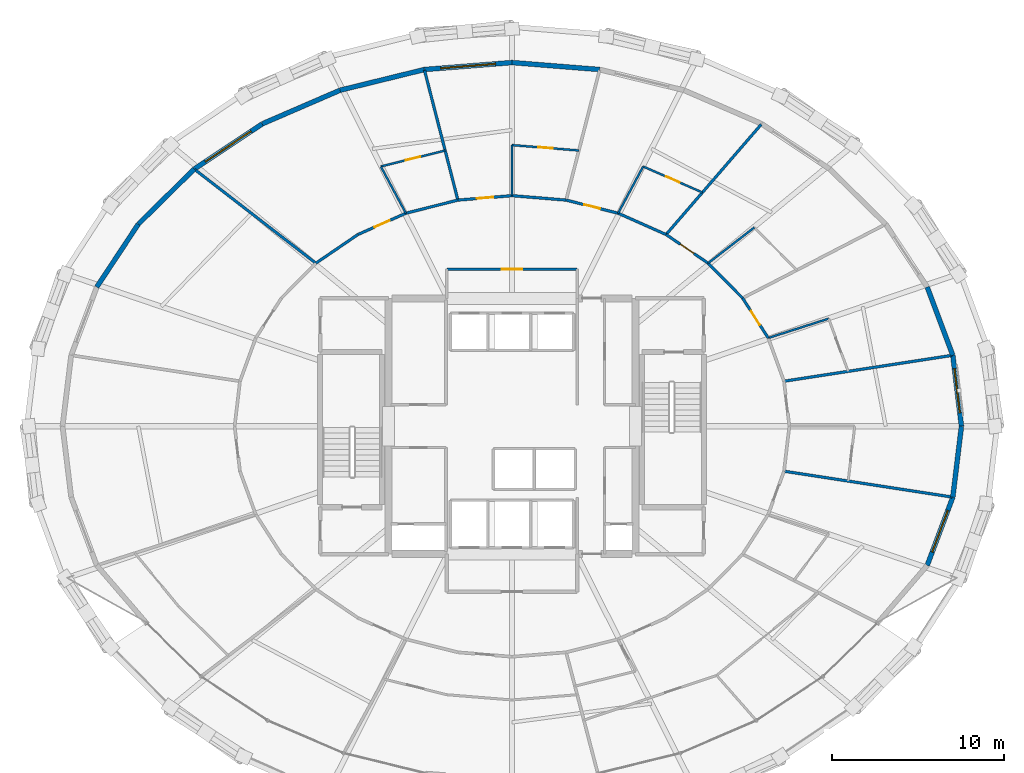
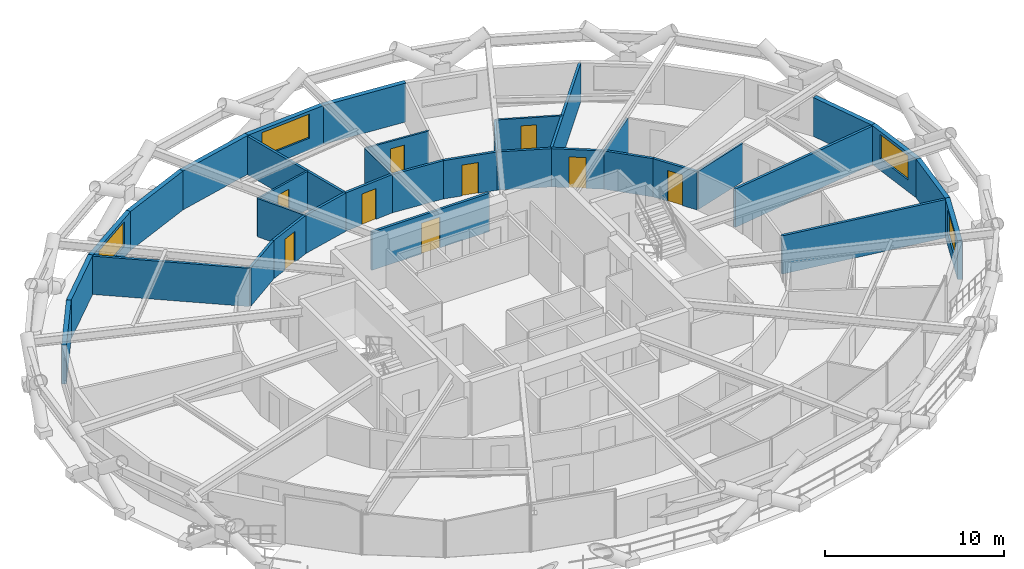
# One storey, part 16 of 19: 35 walls, 9 doors, 4 windows, 13 openings.
"""IFC4 building model written with IfcOpenShell, lengths in metres."""

from ifc_helpers import new_model, si_unit, direction, frame, frame_2d, origin, place, context, subcontext, project, spatial, rectangle, extrude, material, layer, layer_set, type_object, element, fill, save


model = new_model("IFC4")

# Units and contexts
model_context = context("Model", 3, precision=1e-05, world=origin(), true_north=direction((0.0, 1.0)))
body_context = subcontext(model_context, "Body", "Model", "MODEL_VIEW")
ifc_project = project(units=[si_unit("LENGTHUNIT", "METRE"), si_unit("AREAUNIT", "SQUARE_METRE"), si_unit("VOLUMEUNIT", "CUBIC_METRE"), si_unit("PLANEANGLEUNIT", "RADIAN"), si_unit("MASSUNIT", "GRAM", prefix="KILO")], contexts=[model_context])

# Site, building, storey
site_placement = place(None, origin())
site = spatial("IfcSite", under=ifc_project, at=site_placement, CompositionType="ELEMENT")
building_placement = place(site_placement, origin())
building = spatial("IfcBuilding", under=site, at=building_placement, Name="Veldorina Hangang Commons", CompositionType="ELEMENT")
storey_placement = place(building_placement, frame((0.0, 0.0, 44.800048828125)))
storey = spatial("IfcBuildingStorey", under=building, at=storey_placement, Name="L10", CompositionType="ELEMENT", Elevation=44.800048828125)

# Wall, opening, window
ifc_material_1 = material(Name="Stone Roman Travertine", Category="masonry")
ifc_layer_1 = layer(ifc_material_1, 0.280029296875)
ifc_layer_set_1 = layer_set([ifc_layer_1], Name="Stone Roman Travertine")
wall_type_1 = type_object("IfcWallType", Name="EW-TRAV-280", PredefinedType="STANDARD", material=ifc_layer_set_1)
wall_1_placement = place(storey_placement, frame((58.19091796875, 24.0, 0.0), z_axis=(0.0, 0.0, 1.0), x_axis=(-0.120881081027, 0.992666995648, 0.0)))
wall_1 = element("IfcWall", 1, at=wall_1_placement, inside=storey, type_object=wall_type_1, Name="L10 travertine facade wall 00", PredefinedType="STANDARD", context=body_context, shape_type="SweptSolid", body=[
    extrude(rectangle(XDim=4.16455078125, YDim=0.280029296875, at=frame_2d((2.082275390625, 0.0))), origin(), (0.0, 0.0, 1.0), 2.64990234375),
])
opening_1_placement = place(wall_1_placement, frame((0.7822265625, 0.0, 0.800048828125)))
opening_1 = element("IfcOpeningElement", 2, at=opening_1_placement, cuts=wall_1, Name="Opening W-02", PredefinedType="OPENING", context=body_context, shape_type="SweptSolid", body=[
    extrude(rectangle(XDim=2.60009765625, YDim=1.64990234375, at=frame_2d((1.300048828125, 0.824951171875))), frame((0.0, 0.14990234375, 0.0), z_axis=(0.0, -1.0, 0.0), x_axis=(1.0, 0.0, 0.0)), (0.0, 0.0, 1.0), 0.300048828125),
])
ifc_material_2 = material(Name="Glass Low-E Triple IGU", Category="glass")
window_type_1 = type_object("IfcWindowType", Name="WIN-TWR-2600", PartitioningType="SINGLE_PANEL", PredefinedType="WINDOW", material=ifc_material_2)
window_1_placement = place(opening_1_placement, origin())
window_1 = element("IfcWindow", 3, at=window_1_placement, inside=storey, type_object=window_type_1, Name="L10 facade window 00", OverallHeight=1.64990234375, OverallWidth=2.60009765625, PartitioningType="SINGLE_PANEL", PredefinedType="WINDOW", context=body_context, shape_type="SweptSolid", body=[
    extrude(rectangle(XDim=2.60009765625, YDim=1.64990234375, at=frame_2d((1.300048828125, 0.824951171875))), frame((0.0, 0.030029296875, 0.0), z_axis=(0.0, -1.0, 0.0), x_axis=(1.0, 0.0, 0.0)), (0.0, 0.0, 1.0), 0.06005859375),
])
fill(opening_1, window_1)

# Walls
wall_2_placement = place(storey_placement, frame((57.6875, 28.134033203125, 0.0), z_axis=(0.0, 0.0, 1.0), x_axis=(-0.351066723894, 0.936350444745, 0.0)))
element("IfcWall", 4, at=wall_2_placement, inside=storey, type_object=wall_type_1, Name="L10 travertine facade wall 01", PredefinedType="STANDARD", context=body_context, shape_type="SweptSolid", body=[
    extrude(rectangle(XDim=4.24560546875, YDim=0.280029296875, at=frame_2d((2.122802734375, 0.0))), origin(), (0.0, 0.0, 1.0), 2.64990234375),
])
wall_3_placement = place(storey_placement, frame((37.109619140625, 44.78369140625, 0.0), z_axis=(0.0, 0.0, 1.0), x_axis=(-0.996839162028, 0.079446114113, 0.0)))
element("IfcWall", 5, at=wall_3_placement, inside=storey, type_object=wall_type_1, Name="L10 travertine facade wall 07", PredefinedType="STANDARD", context=body_context, shape_type="SweptSolid", body=[
    extrude(rectangle(XDim=5.125732421875, YDim=0.280029296875, at=frame_2d((2.56298828125, 0.0))), origin(), (0.0, 0.0, 1.0), 2.64990234375),
])

# Wall, opening, window
wall_4_placement = place(storey_placement, frame((32.0, 45.19091796875, 0.0), z_axis=(0.0, 0.0, 1.0), x_axis=(-0.996839162028, -0.079446114113, 0.0)))
wall_4 = element("IfcWall", 6, at=wall_4_placement, inside=storey, type_object=wall_type_1, Name="L10 travertine facade wall 08", PredefinedType="STANDARD", context=body_context, shape_type="SweptSolid", body=[
    extrude(rectangle(XDim=5.125732421875, YDim=0.280029296875, at=frame_2d((2.56298828125, 0.0))), origin(), (0.0, 0.0, 1.0), 2.64990234375),
])
opening_2_placement = place(wall_4_placement, frame((0.962890625, 0.0, 0.800048828125)))
opening_2 = element("IfcOpeningElement", 7, at=opening_2_placement, cuts=wall_4, Name="Opening W-01", PredefinedType="OPENING", context=body_context, shape_type="SweptSolid", body=[
    extrude(rectangle(XDim=3.199951171875, YDim=1.64990234375, at=frame_2d((1.60009765625, 0.824951171875))), frame((0.0, 0.14990234375, 0.0), z_axis=(0.0, -1.0, 0.0), x_axis=(1.0, 0.0, 0.0)), (0.0, 0.0, 1.0), 0.300048828125),
])
window_type_2 = type_object("IfcWindowType", Name="WIN-TWR-3200", PartitioningType="SINGLE_PANEL", PredefinedType="WINDOW", material=ifc_material_2)
window_2_placement = place(opening_2_placement, origin())
window_2 = element("IfcWindow", 8, at=window_2_placement, inside=storey, type_object=window_type_2, Name="L10 facade window 08", OverallHeight=1.64990234375, OverallWidth=3.199951171875, PartitioningType="SINGLE_PANEL", PredefinedType="WINDOW", context=body_context, shape_type="SweptSolid", body=[
    extrude(rectangle(XDim=3.199951171875, YDim=1.64990234375, at=frame_2d((1.60009765625, 0.824951171875))), frame((0.0, 0.030029296875, 0.0), z_axis=(0.0, -1.0, 0.0), x_axis=(1.0, 0.0, 0.0)), (0.0, 0.0, 1.0), 0.06005859375),
])
fill(opening_2, window_2)

# Walls
wall_5_placement = place(storey_placement, frame((26.890380859375, 44.78369140625, 0.0), z_axis=(0.0, 0.0, 1.0), x_axis=(-0.971167008754, -0.238400170108, 0.0)))
element("IfcWall", 9, at=wall_5_placement, inside=storey, type_object=wall_type_1, Name="L10 travertine facade wall 09", PredefinedType="STANDARD", context=body_context, shape_type="SweptSolid", body=[
    extrude(rectangle(XDim=5.058837890625, YDim=0.280029296875, at=frame_2d((2.529296875, 0.0))), origin(), (0.0, 0.0, 1.0), 2.64990234375),
])
wall_6_placement = place(storey_placement, frame((21.977294921875, 43.57763671875, 0.0), z_axis=(0.0, 0.0, 1.0), x_axis=(-0.917844853987, -0.396939320312, 0.0)))
element("IfcWall", 10, at=wall_6_placement, inside=storey, type_object=wall_type_1, Name="L10 travertine facade wall 10", PredefinedType="STANDARD", context=body_context, shape_type="SweptSolid", body=[
    extrude(rectangle(XDim=4.933349609375, YDim=0.280029296875, at=frame_2d((2.466796875, 0.0))), origin(), (0.0, 0.0, 1.0), 2.64990234375),
])

# Wall, opening, window
wall_7_placement = place(storey_placement, frame((17.44921875, 41.619384765625, 0.0), z_axis=(0.0, 0.0, 1.0), x_axis=(-0.833089497156, -0.55313821937, 0.0)))
wall_7 = element("IfcWall", 11, at=wall_7_placement, inside=storey, type_object=wall_type_1, Name="L10 travertine facade wall 11", PredefinedType="STANDARD", context=body_context, shape_type="SweptSolid", body=[
    extrude(rectangle(XDim=4.76416015625, YDim=0.280029296875, at=frame_2d((2.382080078125, 0.0))), origin(), (0.0, 0.0, 1.0), 2.64990234375),
])
opening_3_placement = place(wall_7_placement, frame((0.781982421875, 0.0, 0.800048828125)))
opening_3 = element("IfcOpeningElement", 12, at=opening_3_placement, cuts=wall_7, Name="Opening W-01", PredefinedType="OPENING", context=body_context, shape_type="SweptSolid", body=[
    extrude(rectangle(XDim=3.199951171875, YDim=1.64990234375, at=frame_2d((1.60009765625, 0.824951171875))), frame((0.0, 0.14990234375, 0.0), z_axis=(0.0, -1.0, 0.0), x_axis=(1.0, 0.0, 0.0)), (0.0, 0.0, 1.0), 0.300048828125),
])
window_3_placement = place(opening_3_placement, origin())
window_3 = element("IfcWindow", 13, at=window_3_placement, inside=storey, type_object=window_type_2, Name="L10 facade window 11", OverallHeight=1.64990234375, OverallWidth=3.199951171875, PartitioningType="SINGLE_PANEL", PredefinedType="WINDOW", context=body_context, shape_type="SweptSolid", body=[
    extrude(rectangle(XDim=3.199951171875, YDim=1.64990234375, at=frame_2d((1.60009765625, 0.824951171875))), frame((0.0, 0.030029296875, 0.0), z_axis=(0.0, -1.0, 0.0), x_axis=(1.0, 0.0, 0.0)), (0.0, 0.0, 1.0), 0.06005859375),
])
fill(opening_3, window_3)

# Walls
wall_8_placement = place(storey_placement, frame((13.480224609375, 38.984130859375, 0.0), z_axis=(0.0, 0.0, 1.0), x_axis=(-0.712106444973, -0.702071514184, 0.0)))
element("IfcWall", 14, at=wall_8_placement, inside=storey, type_object=wall_type_1, Name="L10 travertine facade wall 12", PredefinedType="STANDARD", context=body_context, shape_type="SweptSolid", body=[
    extrude(rectangle(XDim=4.573974609375, YDim=0.280029296875, at=frame_2d((2.287109375, 0.0))), origin(), (0.0, 0.0, 1.0), 2.64990234375),
])
wall_9_placement = place(storey_placement, frame((10.22314453125, 35.77294921875, 0.0), z_axis=(0.0, 0.0, 1.0), x_axis=(-0.551192292831, -0.834378245356, 0.0)))
element("IfcWall", 15, at=wall_9_placement, inside=storey, type_object=wall_type_1, Name="L10 travertine facade wall 13", PredefinedType="STANDARD", context=body_context, shape_type="SweptSolid", body=[
    extrude(rectangle(XDim=4.390869140625, YDim=0.280029296875, at=frame_2d((2.1953125, 0.0))), origin(), (0.0, 0.0, 1.0), 2.64990234375),
])

# Wall, opening, window
wall_10_placement = place(storey_placement, frame((56.197021484375, 15.890625, 0.0), z_axis=(0.0, 0.0, 1.0), x_axis=(0.351066723894, 0.936350444745, 0.0)))
wall_10 = element("IfcWall", 16, at=wall_10_placement, inside=storey, type_object=wall_type_1, Name="L10 travertine facade wall 30", PredefinedType="STANDARD", context=body_context, shape_type="SweptSolid", body=[
    extrude(rectangle(XDim=4.24560546875, YDim=0.280029296875, at=frame_2d((2.122802734375, 0.0))), origin(), (0.0, 0.0, 1.0), 2.64990234375),
])
opening_4_placement = place(wall_10_placement, frame((0.82275390625, 0.0, 0.800048828125)))
opening_4 = element("IfcOpeningElement", 17, at=opening_4_placement, cuts=wall_10, Name="Opening W-02", PredefinedType="OPENING", context=body_context, shape_type="SweptSolid", body=[
    extrude(rectangle(XDim=2.60009765625, YDim=1.64990234375, at=frame_2d((1.300048828125, 0.824951171875))), frame((0.0, 0.14990234375, 0.0), z_axis=(0.0, -1.0, 0.0), x_axis=(1.0, 0.0, 0.0)), (0.0, 0.0, 1.0), 0.300048828125),
])
window_4_placement = place(opening_4_placement, origin())
window_4 = element("IfcWindow", 18, at=window_4_placement, inside=storey, type_object=window_type_1, Name="L10 facade window 30", OverallHeight=1.64990234375, OverallWidth=2.60009765625, PartitioningType="SINGLE_PANEL", PredefinedType="WINDOW", context=body_context, shape_type="SweptSolid", body=[
    extrude(rectangle(XDim=2.60009765625, YDim=1.64990234375, at=frame_2d((1.300048828125, 0.824951171875))), frame((0.0, 0.030029296875, 0.0), z_axis=(0.0, -1.0, 0.0), x_axis=(1.0, 0.0, 0.0)), (0.0, 0.0, 1.0), 0.06005859375),
])
fill(opening_4, window_4)

# Wall
wall_11_placement = place(storey_placement, frame((57.6875, 19.865966796875, 0.0), z_axis=(0.0, 0.0, 1.0), x_axis=(0.120881081027, 0.992666995648, 0.0)))
element("IfcWall", 19, at=wall_11_placement, inside=storey, type_object=wall_type_1, Name="L10 travertine facade wall 31", PredefinedType="STANDARD", context=body_context, shape_type="SweptSolid", body=[
    extrude(rectangle(XDim=4.16455078125, YDim=0.280029296875, at=frame_2d((2.082275390625, 0.0))), origin(), (0.0, 0.0, 1.0), 2.64990234375),
])

# Wall, opening, door
ifc_material_3 = material(Name="Gypsum Fire-Rated Twin Stud Wall", Category="gypsum")
ifc_layer_2 = layer(ifc_material_3, 0.159912109375)
ifc_layer_set_2 = layer_set([ifc_layer_2], Name="Gypsum Fire-Rated Twin Stud Wall")
wall_type_2 = type_object("IfcWallType", Name="WL-FIRE-160", PredefinedType="SOLIDWALL", material=ifc_layer_set_2)
wall_12_placement = place(storey_placement, frame((28.199951171875, 33.14990234375, 0.0), z_axis=(0.0, 0.0, 1.0), x_axis=(1.0, 0.0, 0.0)))
wall_12 = element("IfcWall", 20, at=wall_12_placement, inside=storey, type_object=wall_type_2, Name="L10 North lobby north wall 034", PredefinedType="SOLIDWALL", context=body_context, shape_type="SweptSolid", body=[
    extrude(rectangle(XDim=7.60009765625, YDim=0.159912109375, at=frame_2d((3.800048828125, 0.0))), origin(), (0.0, 0.0, 1.0), 2.60986328125),
])
opening_5_placement = place(wall_12_placement, frame((3.199951171875, 0.0, 0.0)))
opening_5 = element("IfcOpeningElement", 21, at=opening_5_placement, cuts=wall_12, Name="Opening D-09", PredefinedType="OPENING", context=body_context, shape_type="SweptSolid", body=[
    extrude(rectangle(XDim=1.199951171875, YDim=2.10009765625, at=frame_2d((0.60009765625, 1.050048828125))), frame((0.0, 0.08984375, 0.0), z_axis=(0.0, -1.0, 0.0), x_axis=(1.0, 0.0, 0.0)), (0.0, 0.0, 1.0), 0.179931640625),
])
ifc_material_4 = material(Name="Steel Fire-Rated Corridor Door", Category="steel")
door_type_1 = type_object("IfcDoorType", Name="DR-FIRE-1200", OperationType="SINGLE_SWING_LEFT", PredefinedType="DOOR", material=ifc_material_4)
door_1_placement = place(opening_5_placement, origin())
door_1 = element("IfcDoor", 22, at=door_1_placement, inside=storey, type_object=door_type_1, Name="L10 North lift lobby corridor door 012", OperationType="SINGLE_SWING_RIGHT", OverallHeight=2.10009765625, OverallWidth=1.199951171875, PredefinedType="DOOR", context=body_context, shape_type="SweptSolid", body=[
    extrude(rectangle(XDim=1.199951171875, YDim=2.10009765625, at=frame_2d((0.60009765625, 1.050048828125))), frame((0.0, 0.02490234375, 0.0), z_axis=(0.0, -1.0, 0.0), x_axis=(1.0, 0.0, 0.0)), (0.0, 0.0, 1.0), 0.050048828125),
])
fill(opening_5, door_1)

wall_13_placement = place(storey_placement, frame((46.931640625, 29.14111328125, 0.0), z_axis=(0.0, 0.0, 1.0), x_axis=(-0.540891657444, 0.841092274907, 0.0)))
wall_13 = element("IfcWall", 23, at=wall_13_placement, inside=storey, type_object=wall_type_2, Name="L10 Corridor outer wall 02 047", PredefinedType="SOLIDWALL", context=body_context, shape_type="SweptSolid", body=[
    extrude(rectangle(XDim=2.760986328125, YDim=0.159912109375, at=frame_2d((1.38037109375, 0.0))), origin(), (0.0, 0.0, 1.0), 2.60986328125),
])
opening_6_placement = place(wall_13_placement, frame((0.905517578125, 0.0, 0.0)))
opening_6 = element("IfcOpeningElement", 24, at=opening_6_placement, cuts=wall_13, Name="Opening D-03", PredefinedType="OPENING", context=body_context, shape_type="SweptSolid", body=[
    extrude(rectangle(XDim=0.949951171875, YDim=2.10009765625, at=frame_2d((0.47509765625, 1.050048828125))), frame((0.0, 0.08984375, 0.0), z_axis=(0.0, -1.0, 0.0), x_axis=(1.0, 0.0, 0.0)), (0.0, 0.0, 1.0), 0.179931640625),
])
ifc_material_5 = material(Name="Timber Fire-Rated Entrance Core", Category="wood")
door_type_2 = type_object("IfcDoorType", Name="DR-UNIT-950", OperationType="SINGLE_SWING_RIGHT", PredefinedType="DOOR", material=ifc_material_5)
door_2_placement = place(opening_6_placement, origin())
door_2 = element("IfcDoor", 25, at=door_2_placement, inside=storey, type_object=door_type_2, Name="L10 Studio 5 entrance door 030", OperationType="SINGLE_SWING_RIGHT", OverallHeight=2.10009765625, OverallWidth=0.949951171875, PredefinedType="DOOR", context=body_context, shape_type="SweptSolid", body=[
    extrude(rectangle(XDim=0.949951171875, YDim=2.10009765625, at=frame_2d((0.47509765625, 1.050048828125))), frame((0.0, 0.02490234375, 0.0), z_axis=(0.0, -1.0, 0.0), x_axis=(1.0, 0.0, 0.0)), (0.0, 0.0, 1.0), 0.050048828125),
])
fill(opening_6, door_2)

# Wall
wall_14_placement = place(storey_placement, frame((45.438232421875, 31.46337890625, 0.0), z_axis=(0.0, 0.0, 1.0), x_axis=(-0.702569520063, 0.711615113301, 0.0)))
element("IfcWall", 26, at=wall_14_placement, inside=storey, type_object=wall_type_2, Name="L10 Corridor outer wall 03 048", PredefinedType="SOLIDWALL", context=body_context, shape_type="SweptSolid", body=[
    extrude(rectangle(XDim=2.86083984375, YDim=0.159912109375, at=frame_2d((1.430419921875, 0.0))), origin(), (0.0, 0.0, 1.0), 2.60986328125),
])

# Wall, opening, door
wall_15_placement = place(storey_placement, frame((43.42822265625, 33.499267578125, 0.0), z_axis=(0.0, 0.0, 1.0), x_axis=(-0.826112340767, 0.563505457323, 0.0)))
wall_15 = element("IfcWall", 27, at=wall_15_placement, inside=storey, type_object=wall_type_2, Name="L10 Corridor outer wall 04 049", PredefinedType="SOLIDWALL", context=body_context, shape_type="SweptSolid", body=[
    extrude(rectangle(XDim=2.96484375, YDim=0.159912109375, at=frame_2d((1.482421875, 0.0))), origin(), (0.0, 0.0, 1.0), 2.60986328125),
])
opening_7_placement = place(wall_15_placement, frame((1.00732421875, 0.0, 0.0)))
opening_7 = element("IfcOpeningElement", 28, at=opening_7_placement, cuts=wall_15, Name="Opening D-03", PredefinedType="OPENING", context=body_context, shape_type="SweptSolid", body=[
    extrude(rectangle(XDim=0.949951171875, YDim=2.10009765625, at=frame_2d((0.47509765625, 1.050048828125))), frame((0.0, 0.08984375, 0.0), z_axis=(0.0, -1.0, 0.0), x_axis=(1.0, 0.0, 0.0)), (0.0, 0.0, 1.0), 0.179931640625),
])
door_3_placement = place(opening_7_placement, origin())
door_3 = element("IfcDoor", 29, at=door_3_placement, inside=storey, type_object=door_type_2, Name="L10 Studio 6 entrance door 032", OperationType="SINGLE_SWING_RIGHT", OverallHeight=2.10009765625, OverallWidth=0.949951171875, PredefinedType="DOOR", context=body_context, shape_type="SweptSolid", body=[
    extrude(rectangle(XDim=0.949951171875, YDim=2.10009765625, at=frame_2d((0.47509765625, 1.050048828125))), frame((0.0, 0.02490234375, 0.0), z_axis=(0.0, -1.0, 0.0), x_axis=(1.0, 0.0, 0.0)), (0.0, 0.0, 1.0), 0.050048828125),
])
fill(opening_7, door_3)

# Wall
wall_16_placement = place(storey_placement, frame((40.97900390625, 35.169921875, 0.0), z_axis=(0.0, 0.0, 1.0), x_axis=(-0.913860932409, 0.406027334321, 0.0)))
element("IfcWall", 30, at=wall_16_placement, inside=storey, type_object=wall_type_2, Name="L10 Corridor outer wall 05 050", PredefinedType="SOLIDWALL", context=body_context, shape_type="SweptSolid", body=[
    extrude(rectangle(XDim=3.0576171875, YDim=0.159912109375, at=frame_2d((1.52880859375, 0.0))), origin(), (0.0, 0.0, 1.0), 2.60986328125),
])

# Wall, opening, door
wall_17_placement = place(storey_placement, frame((38.184814453125, 36.411376953125, 0.0), z_axis=(0.0, 0.0, 1.0), x_axis=(-0.969653665365, 0.244482656326, 0.0)))
wall_17 = element("IfcWall", 31, at=wall_17_placement, inside=storey, type_object=wall_type_2, Name="L10 Corridor outer wall 06 051", PredefinedType="SOLIDWALL", context=body_context, shape_type="SweptSolid", body=[
    extrude(rectangle(XDim=3.126708984375, YDim=0.159912109375, at=frame_2d((1.5634765625, 0.0))), origin(), (0.0, 0.0, 1.0), 2.60986328125),
])
opening_8_placement = place(wall_17_placement, frame((1.08837890625, 0.0, 0.0)))
opening_8 = element("IfcOpeningElement", 32, at=opening_8_placement, cuts=wall_17, Name="Opening D-03", PredefinedType="OPENING", context=body_context, shape_type="SweptSolid", body=[
    extrude(rectangle(XDim=0.949951171875, YDim=2.10009765625, at=frame_2d((0.47509765625, 1.050048828125))), frame((0.0, 0.08984375, 0.0), z_axis=(0.0, -1.0, 0.0), x_axis=(1.0, 0.0, 0.0)), (0.0, 0.0, 1.0), 0.179931640625),
])
door_4_placement = place(opening_8_placement, origin())
door_4 = element("IfcDoor", 33, at=door_4_placement, inside=storey, type_object=door_type_2, Name="L10 Studio 7 entrance door 034", OperationType="SINGLE_SWING_RIGHT", OverallHeight=2.10009765625, OverallWidth=0.949951171875, PredefinedType="DOOR", context=body_context, shape_type="SweptSolid", body=[
    extrude(rectangle(XDim=0.949951171875, YDim=2.10009765625, at=frame_2d((0.47509765625, 1.050048828125))), frame((0.0, 0.02490234375, 0.0), z_axis=(0.0, -1.0, 0.0), x_axis=(1.0, 0.0, 0.0)), (0.0, 0.0, 1.0), 0.050048828125),
])
fill(opening_8, door_4)

# Wall
wall_18_placement = place(storey_placement, frame((35.153076171875, 37.17578125, 0.0), z_axis=(0.0, 0.0, 1.0), x_axis=(-0.996661331307, 0.081646743207, 0.0)))
element("IfcWall", 34, at=wall_18_placement, inside=storey, type_object=wall_type_2, Name="L10 Corridor outer wall 07 052", PredefinedType="SOLIDWALL", context=body_context, shape_type="SweptSolid", body=[
    extrude(rectangle(XDim=3.16357421875, YDim=0.159912109375, at=frame_2d((1.581787109375, 0.0))), origin(), (0.0, 0.0, 1.0), 2.60986328125),
])

# Wall, opening, door
wall_19_placement = place(storey_placement, frame((32.0, 37.43408203125, 0.0), z_axis=(0.0, 0.0, 1.0), x_axis=(-0.996661331307, -0.081646743207, 0.0)))
wall_19 = element("IfcWall", 35, at=wall_19_placement, inside=storey, type_object=wall_type_2, Name="L10 Corridor outer wall 08 053", PredefinedType="SOLIDWALL", context=body_context, shape_type="SweptSolid", body=[
    extrude(rectangle(XDim=3.16357421875, YDim=0.159912109375, at=frame_2d((1.581787109375, 0.0))), origin(), (0.0, 0.0, 1.0), 2.60986328125),
])
opening_9_placement = place(wall_19_placement, frame((1.106689453125, 0.0, 0.0)))
opening_9 = element("IfcOpeningElement", 36, at=opening_9_placement, cuts=wall_19, Name="Opening D-03", PredefinedType="OPENING", context=body_context, shape_type="SweptSolid", body=[
    extrude(rectangle(XDim=0.949951171875, YDim=2.10009765625, at=frame_2d((0.47509765625, 1.050048828125))), frame((0.0, 0.08984375, 0.0), z_axis=(0.0, -1.0, 0.0), x_axis=(1.0, 0.0, 0.0)), (0.0, 0.0, 1.0), 0.179931640625),
])
door_5_placement = place(opening_9_placement, origin())
door_5 = element("IfcDoor", 37, at=door_5_placement, inside=storey, type_object=door_type_2, Name="L10 Studio 8 entrance door 036", OperationType="SINGLE_SWING_RIGHT", OverallHeight=2.10009765625, OverallWidth=0.949951171875, PredefinedType="DOOR", context=body_context, shape_type="SweptSolid", body=[
    extrude(rectangle(XDim=0.949951171875, YDim=2.10009765625, at=frame_2d((0.47509765625, 1.050048828125))), frame((0.0, 0.02490234375, 0.0), z_axis=(0.0, -1.0, 0.0), x_axis=(1.0, 0.0, 0.0)), (0.0, 0.0, 1.0), 0.050048828125),
])
fill(opening_9, door_5)

# Wall
wall_20_placement = place(storey_placement, frame((28.846923828125, 37.17578125, 0.0), z_axis=(0.0, 0.0, 1.0), x_axis=(-0.969653665365, -0.244482656326, 0.0)))
element("IfcWall", 38, at=wall_20_placement, inside=storey, type_object=wall_type_2, Name="L10 Corridor outer wall 09 054", PredefinedType="SOLIDWALL", context=body_context, shape_type="SweptSolid", body=[
    extrude(rectangle(XDim=3.126708984375, YDim=0.159912109375, at=frame_2d((1.5634765625, 0.0))), origin(), (0.0, 0.0, 1.0), 2.60986328125),
])

# Wall, opening, door
wall_21_placement = place(storey_placement, frame((25.815185546875, 36.411376953125, 0.0), z_axis=(0.0, 0.0, 1.0), x_axis=(-0.913860932409, -0.406027334321, 0.0)))
wall_21 = element("IfcWall", 39, at=wall_21_placement, inside=storey, type_object=wall_type_2, Name="L10 Corridor outer wall 10 055", PredefinedType="SOLIDWALL", context=body_context, shape_type="SweptSolid", body=[
    extrude(rectangle(XDim=3.0576171875, YDim=0.159912109375, at=frame_2d((1.52880859375, 0.0))), origin(), (0.0, 0.0, 1.0), 2.60986328125),
])
opening_10_placement = place(wall_21_placement, frame((1.0537109375, 0.0, 0.0)))
opening_10 = element("IfcOpeningElement", 40, at=opening_10_placement, cuts=wall_21, Name="Opening D-03", PredefinedType="OPENING", context=body_context, shape_type="SweptSolid", body=[
    extrude(rectangle(XDim=0.949951171875, YDim=2.10009765625, at=frame_2d((0.47509765625, 1.050048828125))), frame((0.0, 0.08984375, 0.0), z_axis=(0.0, -1.0, 0.0), x_axis=(1.0, 0.0, 0.0)), (0.0, 0.0, 1.0), 0.179931640625),
])
door_6_placement = place(opening_10_placement, origin())
door_6 = element("IfcDoor", 41, at=door_6_placement, inside=storey, type_object=door_type_2, Name="L10 Studio 9 entrance door 038", OperationType="SINGLE_SWING_RIGHT", OverallHeight=2.10009765625, OverallWidth=0.949951171875, PredefinedType="DOOR", context=body_context, shape_type="SweptSolid", body=[
    extrude(rectangle(XDim=0.949951171875, YDim=2.10009765625, at=frame_2d((0.47509765625, 1.050048828125))), frame((0.0, 0.02490234375, 0.0), z_axis=(0.0, -1.0, 0.0), x_axis=(1.0, 0.0, 0.0)), (0.0, 0.0, 1.0), 0.050048828125),
])
fill(opening_10, door_6)

# Walls
wall_22_placement = place(storey_placement, frame((23.02099609375, 35.169921875, 0.0), z_axis=(0.0, 0.0, 1.0), x_axis=(-0.826112340767, -0.563505457323, 0.0)))
element("IfcWall", 42, at=wall_22_placement, inside=storey, type_object=wall_type_2, Name="L10 Corridor outer wall 11 056", PredefinedType="SOLIDWALL", context=body_context, shape_type="SweptSolid", body=[
    extrude(rectangle(XDim=2.96484375, YDim=0.159912109375, at=frame_2d((1.482421875, 0.0))), origin(), (0.0, 0.0, 1.0), 2.60986328125),
])
for number, where, z_axis, x_axis, name in (
    (43, (47.8515625, 21.379150390625, 0.0), (0.0, 0.0, 1.0), (0.988371982693, -0.152055331469, 0.0), "L10 Unit party wall 31 090"),
    (44, (47.8515625, 26.620849609375, 0.0), (0.0, 0.0, 1.0), (0.988371982693, 0.152055331469, 0.0), "L10 Unit party wall 01 093"),
):
    element("IfcWall", number, at=place(storey_placement, frame(where, z_axis=z_axis, x_axis=x_axis)), inside=storey, type_object=wall_type_2, Name=name, PredefinedType="SOLIDWALL", context=body_context, shape_type="SweptSolid", body=[
        extrude(rectangle(XDim=9.90185546875, YDim=0.159912109375, at=frame_2d((4.950927734375, 0.0))), origin(), (0.0, 0.0, 1.0), 2.60986328125),
    ])
wall_23_placement = place(storey_placement, frame((40.97900390625, 35.169921875, 0.0), z_axis=(0.0, 0.0, 1.0), x_axis=(0.653724138874, 0.756732945136, 0.0)))
element("IfcWall", 45, at=wall_23_placement, inside=storey, type_object=wall_type_2, Name="L10 Unit party wall 05 099", PredefinedType="SOLIDWALL", context=body_context, shape_type="SweptSolid", body=[
    extrude(rectangle(XDim=8.47314453125, YDim=0.159912109375, at=frame_2d((4.236572265625, 0.0))), origin(), (0.0, 0.0, 1.0), 2.60986328125),
])
wall_24_placement = place(storey_placement, frame((28.846923828125, 37.17578125, 0.0), z_axis=(0.0, 0.0, 1.0), x_axis=(-0.249072893253, 0.968484741153, 0.0)))
element("IfcWall", 46, at=wall_24_placement, inside=storey, type_object=wall_type_2, Name="L10 Unit party wall 09 105", PredefinedType="SOLIDWALL", context=body_context, shape_type="SweptSolid", body=[
    extrude(rectangle(XDim=7.805419921875, YDim=0.159912109375, at=frame_2d((3.90283203125, 0.0))), origin(), (0.0, 0.0, 1.0), 2.60986328125),
])
wall_25_placement = place(storey_placement, frame((20.57177734375, 33.499267578125, 0.0), z_axis=(0.0, 0.0, 1.0), x_axis=(-0.790999441118, 0.611816871417, 0.0)))
element("IfcWall", 47, at=wall_25_placement, inside=storey, type_object=wall_type_2, Name="L10 Unit party wall 12 108", PredefinedType="SOLIDWALL", context=body_context, shape_type="SweptSolid", body=[
    extrude(rectangle(XDim=8.9150390625, YDim=0.159912109375, at=frame_2d((4.45751953125, 0.0))), origin(), (0.0, 0.0, 1.0), 2.60986328125),
])
ifc_material_6 = material(Name="Gypsum Acoustic Stud Partition", Category="gypsum")
ifc_layer_3 = layer(ifc_material_6, 0.1201171875)
ifc_layer_set_3 = layer_set([ifc_layer_3], Name="Gypsum Acoustic Stud Partition")
wall_type_3 = type_object("IfcWallType", Name="WL-PART-120", PredefinedType="PARTITIONING", material=ifc_layer_set_3)
wall_26_placement = place(storey_placement, frame((46.931640625, 29.14111328125, 0.0), z_axis=(0.0, 0.0, 1.0), x_axis=(0.952329028564, 0.3050728132, 0.0)))
element("IfcWall", 48, at=wall_26_placement, inside=storey, type_object=wall_type_3, Name="L10 Studio 5 bath side wall 095", PredefinedType="PARTITIONING", context=body_context, shape_type="SweptSolid", body=[
    extrude(rectangle(XDim=3.697265625, YDim=0.1201171875, at=frame_2d((1.8486328125, 0.0))), origin(), (0.0, 0.0, 1.0), 2.60986328125),
])
wall_27_placement = place(storey_placement, frame((43.42822265625, 33.499267578125, 0.0), z_axis=(0.0, 0.0, 1.0), x_axis=(0.79102015288, 0.611790092873, 0.0)))
element("IfcWall", 49, at=wall_27_placement, inside=storey, type_object=wall_type_3, Name="L10 Studio 6 bath side wall 098", PredefinedType="PARTITIONING", context=body_context, shape_type="SweptSolid", body=[
    extrude(rectangle(XDim=3.40673828125, YDim=0.1201171875, at=frame_2d((1.703369140625, 0.0))), origin(), (0.0, 0.0, 1.0), 2.60986328125),
])

# Wall, opening, door
wall_28_placement = place(storey_placement, frame((43.09619140625, 37.620849609375, 0.0), z_axis=(0.0, 0.0, 1.0), x_axis=(-0.915861325475, 0.401494747786, 0.0)))
wall_28 = element("IfcWall", 50, at=wall_28_placement, inside=storey, type_object=wall_type_3, Name="L10 Studio 7 bath front wall 100", PredefinedType="PARTITIONING", context=body_context, shape_type="SweptSolid", body=[
    extrude(rectangle(XDim=3.77001953125, YDim=0.1201171875, at=frame_2d((1.885009765625, 0.0))), origin(), (0.0, 0.0, 1.0), 2.60986328125),
])
opening_11_placement = place(wall_28_placement, frame((1.455078125, 0.0, 0.0)))
opening_11 = element("IfcOpeningElement", 51, at=opening_11_placement, cuts=wall_28, Name="Opening D-01", PredefinedType="OPENING", context=body_context, shape_type="SweptSolid", body=[
    extrude(rectangle(XDim=0.860107421875, YDim=2.10009765625, at=frame_2d((0.43017578125, 1.050048828125))), frame((0.0, 0.070068359375, 0.0), z_axis=(0.0, -1.0, 0.0), x_axis=(1.0, 0.0, 0.0)), (0.0, 0.0, 1.0), 0.14013671875),
])
ifc_material_7 = material(Name="Timber Moisture-Resistant Core", Category="wood")
door_type_3 = type_object("IfcDoorType", Name="DR-WET-860", OperationType="SINGLE_SWING_LEFT", PredefinedType="DOOR", material=ifc_material_7)
door_7_placement = place(opening_11_placement, origin())
door_7 = element("IfcDoor", 52, at=door_7_placement, inside=storey, type_object=door_type_3, Name="L10 Studio 7 bathroom door 033", OperationType="SINGLE_SWING_LEFT", OverallHeight=2.10009765625, OverallWidth=0.860107421875, PredefinedType="DOOR", context=body_context, shape_type="SweptSolid", body=[
    extrude(rectangle(XDim=0.860107421875, YDim=2.10009765625, at=frame_2d((0.43017578125, 1.050048828125))), frame((0.0, 0.02490234375, 0.0), z_axis=(0.0, -1.0, 0.0), x_axis=(1.0, 0.0, 0.0)), (0.0, 0.0, 1.0), 0.050048828125),
])
fill(opening_11, door_7)

# Wall
wall_29_placement = place(storey_placement, frame((38.184814453125, 36.411376953125, 0.0), z_axis=(0.0, 0.0, 1.0), x_axis=(0.472138070257, 0.881524612597, 0.0)))
element("IfcWall", 53, at=wall_29_placement, inside=storey, type_object=wall_type_3, Name="L10 Studio 7 bath side wall 101", PredefinedType="PARTITIONING", context=body_context, shape_type="SweptSolid", body=[
    extrude(rectangle(XDim=3.089111328125, YDim=0.1201171875, at=frame_2d((1.54443359375, 0.0))), origin(), (0.0, 0.0, 1.0), 2.60986328125),
])

# Wall, opening, door
wall_30_placement = place(storey_placement, frame((35.896484375, 40.06689453125, 0.0), z_axis=(0.0, 0.0, 1.0), x_axis=(-0.996754424253, 0.080502284014, 0.0)))
wall_30 = element("IfcWall", 54, at=wall_30_placement, inside=storey, type_object=wall_type_3, Name="L10 Studio 8 bath front wall 103", PredefinedType="PARTITIONING", context=body_context, shape_type="SweptSolid", body=[
    extrude(rectangle(XDim=3.9091796875, YDim=0.1201171875, at=frame_2d((1.95458984375, 0.0))), origin(), (0.0, 0.0, 1.0), 2.60986328125),
])
opening_12_placement = place(wall_30_placement, frame((1.524658203125, 0.0, 0.0)))
opening_12 = element("IfcOpeningElement", 55, at=opening_12_placement, cuts=wall_30, Name="Opening D-01", PredefinedType="OPENING", context=body_context, shape_type="SweptSolid", body=[
    extrude(rectangle(XDim=0.860107421875, YDim=2.10009765625, at=frame_2d((0.43017578125, 1.050048828125))), frame((0.0, 0.070068359375, 0.0), z_axis=(0.0, -1.0, 0.0), x_axis=(1.0, 0.0, 0.0)), (0.0, 0.0, 1.0), 0.14013671875),
])
door_8_placement = place(opening_12_placement, origin())
door_8 = element("IfcDoor", 56, at=door_8_placement, inside=storey, type_object=door_type_3, Name="L10 Studio 8 bathroom door 035", OperationType="SINGLE_SWING_LEFT", OverallHeight=2.10009765625, OverallWidth=0.860107421875, PredefinedType="DOOR", context=body_context, shape_type="SweptSolid", body=[
    extrude(rectangle(XDim=0.860107421875, YDim=2.10009765625, at=frame_2d((0.43017578125, 1.050048828125))), frame((0.0, 0.02490234375, 0.0), z_axis=(0.0, -1.0, 0.0), x_axis=(1.0, 0.0, 0.0)), (0.0, 0.0, 1.0), 0.050048828125),
])
fill(opening_12, door_8)

# Wall
wall_31_placement = place(storey_placement, frame((32.0, 37.43408203125, 0.0), z_axis=(0.0, 0.0, 1.0), x_axis=(0.0, 1.0, 0.0)))
element("IfcWall", 57, at=wall_31_placement, inside=storey, type_object=wall_type_3, Name="L10 Studio 8 bath side wall 104", PredefinedType="PARTITIONING", context=body_context, shape_type="SweptSolid", body=[
    extrude(rectangle(XDim=2.947509765625, YDim=0.1201171875, at=frame_2d((1.4736328125, 0.0))), origin(), (0.0, 0.0, 1.0), 2.60986328125),
])

# Wall, opening, door
wall_32_placement = place(storey_placement, frame((28.103515625, 40.06689453125, 0.0), z_axis=(0.0, 0.0, 1.0), x_axis=(-0.97040600743, -0.24147915178, 0.0)))
wall_32 = element("IfcWall", 58, at=wall_32_placement, inside=storey, type_object=wall_type_3, Name="L10 Studio 9 bath front wall 106", PredefinedType="PARTITIONING", context=body_context, shape_type="SweptSolid", body=[
    extrude(rectangle(XDim=3.861083984375, YDim=0.1201171875, at=frame_2d((1.9306640625, 0.0))), origin(), (0.0, 0.0, 1.0), 2.60986328125),
])
opening_13_placement = place(wall_32_placement, frame((1.50048828125, 0.0, 0.0)))
opening_13 = element("IfcOpeningElement", 59, at=opening_13_placement, cuts=wall_32, Name="Opening D-01", PredefinedType="OPENING", context=body_context, shape_type="SweptSolid", body=[
    extrude(rectangle(XDim=0.860107421875, YDim=2.10009765625, at=frame_2d((0.43017578125, 1.050048828125))), frame((0.0, 0.070068359375, 0.0), z_axis=(0.0, -1.0, 0.0), x_axis=(1.0, 0.0, 0.0)), (0.0, 0.0, 1.0), 0.14013671875),
])
door_9_placement = place(opening_13_placement, origin())
door_9 = element("IfcDoor", 60, at=door_9_placement, inside=storey, type_object=door_type_3, Name="L10 Studio 9 bathroom door 037", OperationType="SINGLE_SWING_LEFT", OverallHeight=2.10009765625, OverallWidth=0.860107421875, PredefinedType="DOOR", context=body_context, shape_type="SweptSolid", body=[
    extrude(rectangle(XDim=0.860107421875, YDim=2.10009765625, at=frame_2d((0.43017578125, 1.050048828125))), frame((0.0, 0.02490234375, 0.0), z_axis=(0.0, -1.0, 0.0), x_axis=(1.0, 0.0, 0.0)), (0.0, 0.0, 1.0), 0.050048828125),
])
fill(opening_13, door_9)

# Wall
wall_33_placement = place(storey_placement, frame((25.815185546875, 36.411376953125, 0.0), z_axis=(0.0, 0.0, 1.0), x_axis=(-0.472138070257, 0.881524612597, 0.0)))
element("IfcWall", 61, at=wall_33_placement, inside=storey, type_object=wall_type_3, Name="L10 Studio 9 bath side wall 107", PredefinedType="PARTITIONING", context=body_context, shape_type="SweptSolid", body=[
    extrude(rectangle(XDim=3.089111328125, YDim=0.1201171875, at=frame_2d((1.54443359375, 0.0))), origin(), (0.0, 0.0, 1.0), 2.60986328125),
])

save(model, "model.ifc")
